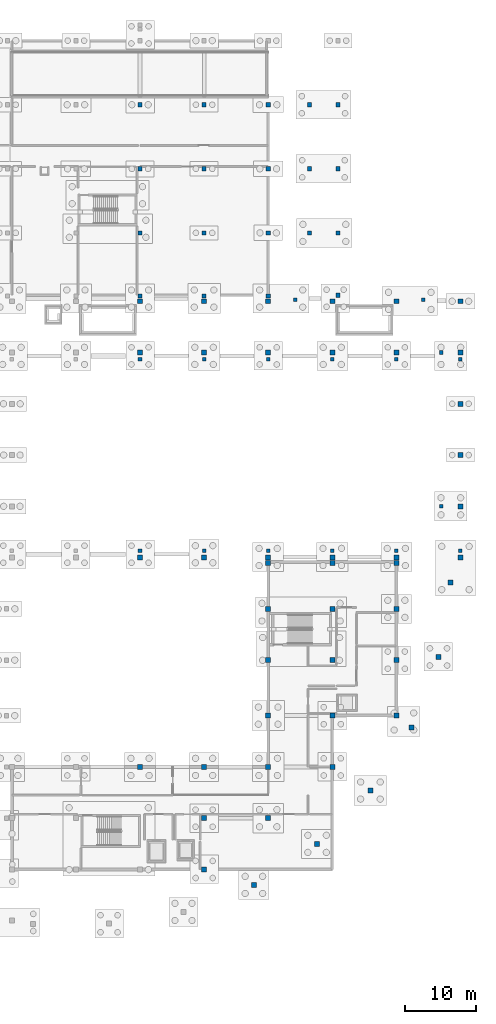
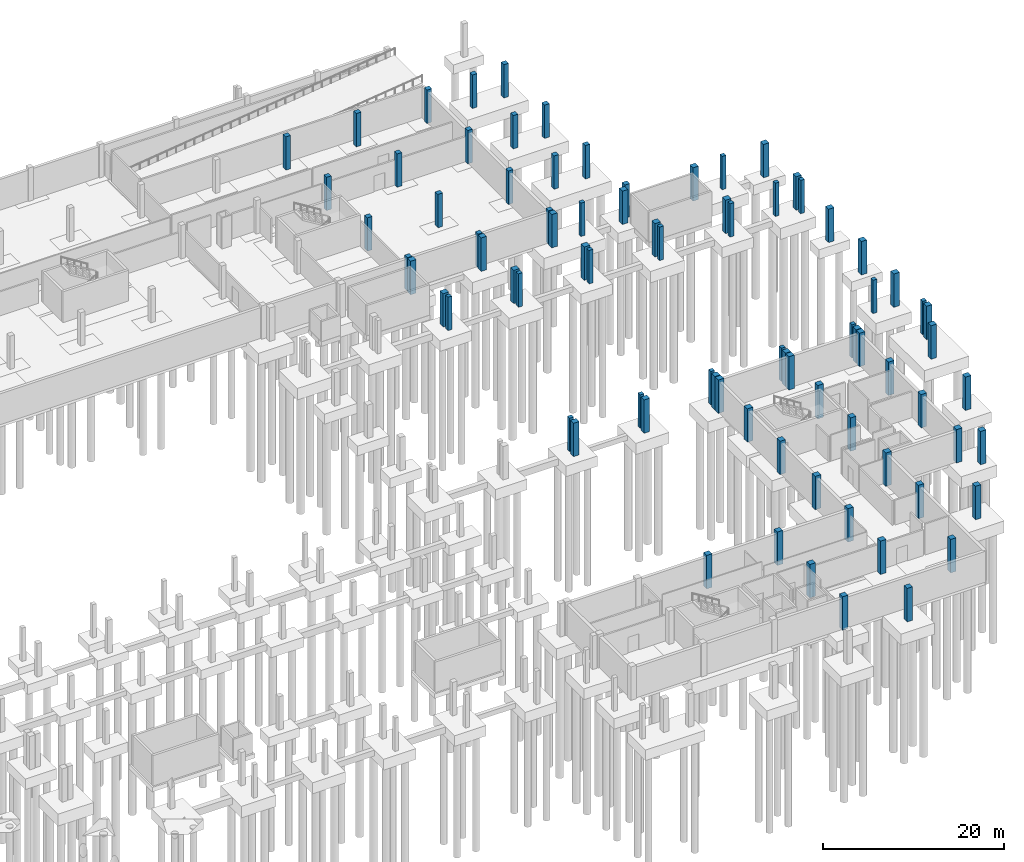
# One storey, part 15 of 36: 81 columns.
"""IFC4 building model written with IfcOpenShell, lengths in metres."""

import ifcopenshell
import ifcopenshell.guid

model = None  # the IFC model being written
_history = None  # IfcOwnerHistory: only IFC2X3 demands one
_inside = {}  # id of a spatial element -> (the spatial element, [elements in it])
_under = {}  # id of a project, library or spatial element -> (it, [spatial elements below it])
_declared = {}  # id of a project -> (the project, [libraries it declares])
_typed = {}  # id of a type object -> (the type object, [elements of that type])
_made_of = {}  # id of a material, layer set ... -> (it, [elements and type objects made of it])


def new_model(schema):
    """Start an empty IFC model of exactly this schema.

    Asked for "IFC4X3", IfcOpenShell would pick the latest addendum, in which some entities
    have other attributes; the version numbers below select the first issue.
    IFC2X3 requires an IfcOwnerHistory on every rooted entity: one is made here for all.
    """
    global model, _history
    if schema == "IFC4X3":
        model = ifcopenshell.file(schema_version=(4, 3, 0, 0))
    else:
        model = ifcopenshell.file(schema=schema)
    _inside.clear()
    _under.clear()
    _declared.clear()
    _typed.clear()
    _made_of.clear()
    _history = None
    if model.schema == "IFC2X3":
        org = make("IfcOrganization", Name="unknown")
        user = make(
            "IfcPersonAndOrganization",
            ThePerson=make("IfcPerson", FamilyName="unknown"),
            TheOrganization=org,
        )
        app = make(
            "IfcApplication",
            ApplicationDeveloper=org,
            Version="unknown",
            ApplicationFullName="unknown",
            ApplicationIdentifier="unknown",
        )
        _history = make(
            "IfcOwnerHistory",
            OwningUser=user,
            OwningApplication=app,
            ChangeAction="ADDED",
            CreationDate=0,
        )
    return model


def make(cls, **values):
    """One entity of the class cls with the attributes given. An attribute that is None is left unset."""
    return model.create_entity(
        cls, **{name: value for name, value in values.items() if value is not None}
    )


def rooted(cls, **values):
    """An entity with a GlobalId (a new one), such as an element, a storey or a relation."""
    return make(cls, GlobalId=ifcopenshell.guid.new(), OwnerHistory=_history, **values)


def si_unit(unit_type, name, prefix=None):
    """IfcSIUnit, for example si_unit("LENGTHUNIT", "METRE", prefix="MILLI")."""
    return make("IfcSIUnit", UnitType=unit_type, Prefix=prefix, Name=name)


def assignment(units):
    """IfcUnitAssignment: the units of a project."""
    return None if units is None else make("IfcUnitAssignment", Units=units)


def point(xyz):
    """IfcCartesianPoint."""
    return None if xyz is None else make("IfcCartesianPoint", Coordinates=xyz)


def direction(xyz):
    """IfcDirection."""
    return None if xyz is None else make("IfcDirection", DirectionRatios=xyz)


def frame(location, z_axis=None, x_axis=None):
    """IfcAxis2Placement3D, a coordinate frame: its origin and axes. An axis left out is left unset."""
    return make(
        "IfcAxis2Placement3D",
        Location=point(location),
        Axis=direction(z_axis),
        RefDirection=direction(x_axis),
    )


def frame_2d(location, x_axis=None):
    """IfcAxis2Placement2D, a coordinate frame in the plane: its origin and x axis."""
    return make(
        "IfcAxis2Placement2D", Location=point(location), RefDirection=direction(x_axis)
    )


def origin():
    """The frame at (0, 0, 0) with its axes left unset."""
    return frame((0.0, 0.0, 0.0))


def origin_2d():
    """The frame at (0, 0) in the plane with its x axis left unset."""
    return frame_2d((0.0, 0.0))


def place(relative_to, where):
    """IfcLocalPlacement: puts the frame where relative to a parent placement (None: the world)."""
    return make(
        "IfcLocalPlacement", PlacementRelTo=relative_to, RelativePlacement=where
    )


def context(
    kind, dimensions, precision=None, world=None, true_north=None, identifier=None
):
    """IfcGeometricRepresentationContext, for example the 3D "Model" context."""
    return make(
        "IfcGeometricRepresentationContext",
        ContextIdentifier=identifier,
        ContextType=kind,
        CoordinateSpaceDimension=dimensions,
        Precision=precision,
        WorldCoordinateSystem=world,
        TrueNorth=true_north,
    )


def subcontext(parent, identifier, kind, view, scale=None):
    """IfcGeometricRepresentationSubContext, for example "Body" below "Model"."""
    return make(
        "IfcGeometricRepresentationSubContext",
        ContextIdentifier=identifier,
        ContextType=kind,
        ParentContext=parent,
        TargetScale=scale,
        TargetView=view,
    )


def project(units=None, contexts=None):
    """IfcProject with its units and contexts."""
    return rooted(
        "IfcProject",
        Name="project",
        RepresentationContexts=contexts,
        UnitsInContext=assignment(units),
    )


def spatial(cls, under=None, at=None, **own):
    """A site, building, storey or space (cls), placed at a placement, below another one or the project."""
    s = rooted(cls, ObjectPlacement=at, **own)
    if under is not None:
        _under.setdefault(under.id(), (under, []))[1].append(s)
    return s


def profile(cls, at=None, kind="AREA", **sizes):
    """A parametric profile (cls). Its sizes go by their IFC names, for example OverallWidth=200.0."""
    return make(cls, ProfileType=kind, Position=at, **sizes)


def rectangle(**sizes):
    """IfcRectangleProfileDef."""
    return profile("IfcRectangleProfileDef", **sizes)


def extrude(swept, where, along, depth):
    """IfcExtrudedAreaSolid: the profile swept, set in the frame where, extruded along a direction by depth."""
    return make(
        "IfcExtrudedAreaSolid",
        SweptArea=swept,
        Position=where,
        ExtrudedDirection=direction(along),
        Depth=depth,
    )


def shape(context_of_items, identifier, shape_type, items):
    """IfcShapeRepresentation: the items that make up one representation, for example the "Body"."""
    return make(
        "IfcShapeRepresentation",
        ContextOfItems=context_of_items,
        RepresentationIdentifier=identifier,
        RepresentationType=shape_type,
        Items=items,
    )


def material(Name=None, Category=None):
    """IfcMaterial."""
    return make("IfcMaterial", Name=Name, Category=Category)


def material_profile(
    of_material, cross_section, Name=None, Category=None, Priority=None
):
    """IfcMaterialProfile: a cross section and its material."""
    return make(
        "IfcMaterialProfile",
        Name=Name,
        Material=of_material,
        Profile=cross_section,
        Priority=Priority,
        Category=Category,
    )


def profile_set(profiles, Name=None, composite=None):
    """IfcMaterialProfileSet."""
    return make(
        "IfcMaterialProfileSet",
        Name=Name,
        MaterialProfiles=profiles,
        CompositeProfile=composite,
    )


def made_of(thing, what):
    """Note that an element or type object is made of a material, layer set ...; save() writes the relation."""
    if what is not None:
        _made_of.setdefault(what.id(), (what, []))[1].append(thing)
    return thing


def type_object(cls, material=None, **own):
    """A type object (cls), such as IfcWallType, which elements share."""
    return made_of(rooted(cls, **own), material)


def element(
    cls,
    number,
    at=None,
    inside=None,
    cuts=None,
    type_object=None,
    material=None,
    context=None,
    identifier="Body",
    shape_type=None,
    held_by="IfcProductDefinitionShape",
    body=None,
    shapes=None,
    **own,
):
    """One element of the class cls, such as IfcWall. Its Tag is "e" and its number.

    at: its placement. inside: the storey or other place that contains it. cuts: it is an
    opening in that element (IfcRelVoidsElement). A single representation is given by context,
    identifier, shape_type and body (its items); several are given by shapes. held_by: the class
    of the entity that holds the representations. save() writes the other relations.
    """
    e = rooted(cls, Tag="e%d" % number, ObjectPlacement=at, **own)
    if body is not None:
        shapes = [shape(context, identifier, shape_type, body)]
    if shapes is not None:
        e.Representation = make(held_by, Representations=shapes)
    if inside is not None:
        _inside.setdefault(inside.id(), (inside, []))[1].append(e)
    if cuts is not None:
        rooted(
            "IfcRelVoidsElement", RelatingBuildingElement=cuts, RelatedOpeningElement=e
        )
    if type_object is not None:
        _typed.setdefault(type_object.id(), (type_object, []))[1].append(e)
    return made_of(e, material)


def aggregate(whole, parts):
    """IfcRelAggregates: a whole, such as a stair, and the parts it consists of."""
    return rooted("IfcRelAggregates", RelatingObject=whole, RelatedObjects=parts)


def save(model, path):
    """Write the relations noted so far, then the file.

    IfcRelAggregates (storeys below a building ...), IfcRelContainedInSpatialStructure (elements
    in a storey), IfcRelDefinesByType, IfcRelAssociatesMaterial and IfcRelDeclares: one each for
    every whole, place, type object, material and project.
    """
    for whole, parts in _under.values():
        aggregate(whole, parts)
    for where, things in _inside.values():
        rooted(
            "IfcRelContainedInSpatialStructure",
            RelatedElements=things,
            RelatingStructure=where,
        )
    for kind, things in _typed.values():
        rooted("IfcRelDefinesByType", RelatedObjects=things, RelatingType=kind)
    for what, things in _made_of.values():
        rooted("IfcRelAssociatesMaterial", RelatedObjects=things, RelatingMaterial=what)
    for by, libraries in _declared.values():
        rooted("IfcRelDeclares", RelatingContext=by, RelatedDefinitions=libraries)
    model.write(path)


model = new_model("IFC4")

# Units and contexts
model_context = context("Model", 3, precision=1e-05, world=origin(), true_north=direction((0.0, 1.0)))
body_context = subcontext(model_context, "Body", "Model", "MODEL_VIEW")
ifc_project = project(units=[si_unit("LENGTHUNIT", "METRE"), si_unit("AREAUNIT", "SQUARE_METRE"), si_unit("VOLUMEUNIT", "CUBIC_METRE"), si_unit("PLANEANGLEUNIT", "RADIAN"), si_unit("MASSUNIT", "GRAM", prefix="KILO")], contexts=[model_context])

# Site, building, storey
site_placement = place(None, origin())
site = spatial("IfcSite", under=ifc_project, at=site_placement, CompositionType="ELEMENT")
building_placement = place(site_placement, origin())
building = spatial("IfcBuilding", under=site, at=building_placement, Name="Chiffa Square Polytechnic", CompositionType="ELEMENT")
storey_placement = place(building_placement, frame((0.0, 0.0, -4.5)))
storey = spatial("IfcBuildingStorey", under=building, at=storey_placement, Name="B1", CompositionType="ELEMENT", Elevation=-4.5)

# Columns
ifc_material_1 = material(Name="Concrete C35/45", Category="concrete")
ifc_material_profile_1 = material_profile(ifc_material_1, rectangle(XDim=0.5, YDim=0.5, at=origin_2d()), Name="RC 500x500")
ifc_profile_set_1 = profile_set([ifc_material_profile_1], Name="Concrete C35/45")
column_type_1 = type_object("IfcColumnType", Name="COL-PIER-500", PredefinedType="PILASTER", material=ifc_profile_set_1)
for number, where, z_axis, x_axis, name in (
    (1, (172.5, 65.39990234375, 0.0), (0.0, 0.0, 1.0), (1.0, 0.0, 0.0), "Apron support pier CP-APR-B1-05"),
    (2, (172.5, 87.0, 0.0), (0.0, 0.0, 1.0), (1.0, 0.0, 0.0), "Apron support pier CP-APR-B1-06"),
    (3, (152.0, 94.39990234375, 0.0), (0.0, 0.0, 1.0), (1.0, 0.0, 0.0), "Apron support pier CP-APR-B1-07"),
    (4, (170.0, 94.39990234375, 0.0), (0.0, 0.0, 1.0), (1.0, 0.0, 0.0), "Apron support pier CP-APR-B1-08"),
    (5, (130.199951171875, 59.14990234375, 0.0), (0.0, 0.0, 1.0), (1.0, 0.0, 0.0), "Crane stanchion foundation pier C-V2-CRN-B1-130-S"),
    (6, (130.199951171875, 86.050048828125, 0.0), (0.0, 0.0, 1.0), (1.0, 0.0, 0.0), "Crane stanchion foundation pier C-V2-CRN-B1-130-N"),
    (7, (139.199951171875, 59.14990234375, 0.0), (0.0, 0.0, 1.0), (1.0, 0.0, 0.0), "Crane stanchion foundation pier C-V2-CRN-B1-139-S"),
    (8, (139.199951171875, 86.050048828125, 0.0), (0.0, 0.0, 1.0), (1.0, 0.0, 0.0), "Crane stanchion foundation pier C-V2-CRN-B1-139-N"),
    (9, (148.199951171875, 59.14990234375, 0.0), (0.0, 0.0, 1.0), (1.0, 0.0, 0.0), "Crane stanchion foundation pier C-V2-CRN-B1-148-S"),
    (10, (148.199951171875, 86.050048828125, 0.0), (0.0, 0.0, 1.0), (1.0, 0.0, 0.0), "Crane stanchion foundation pier C-V2-CRN-B1-148-N"),
    (11, (157.199951171875, 59.14990234375, 0.0), (0.0, 0.0, 1.0), (1.0, 0.0, 0.0), "Crane stanchion foundation pier C-V2-CRN-B1-157-S"),
    (12, (157.199951171875, 86.050048828125, 0.0), (0.0, 0.0, 1.0), (1.0, 0.0, 0.0), "Crane stanchion foundation pier C-V2-CRN-B1-157-N"),
    (13, (166.199951171875, 59.14990234375, 0.0), (0.0, 0.0, 1.0), (1.0, 0.0, 0.0), "Crane stanchion foundation pier C-V2-CRN-B1-166-S"),
    (14, (166.199951171875, 86.050048828125, 0.0), (0.0, 0.0, 1.0), (1.0, 0.0, 0.0), "Crane stanchion foundation pier C-V2-CRN-B1-166-N"),
    (15, (175.199951171875, 59.14990234375, 0.0), (0.0, 0.0, 1.0), (1.0, 0.0, 0.0), "Crane stanchion foundation pier C-V2-CRN-B1-175-S"),
    (16, (175.199951171875, 86.050048828125, 0.0), (0.0, 0.0, 1.0), (1.0, 0.0, 0.0), "Crane stanchion foundation pier C-V2-CRN-B1-175-N"),
):
    element("IfcColumn", number, at=place(storey_placement, frame(where, z_axis=z_axis, x_axis=x_axis)), inside=storey, type_object=column_type_1, Name=name, PredefinedType="PILASTER", context=body_context, shape_type="SweptSolid", body=[
        extrude(rectangle(XDim=0.5, YDim=0.5, at=origin_2d()), origin(), (0.0, 0.0, 1.0), 4.5),
    ])
ifc_material_profile_2 = material_profile(ifc_material_1, rectangle(XDim=0.60009765625, YDim=0.60009765625, at=origin_2d()), Name="RC 600x600")
ifc_profile_set_2 = profile_set([ifc_material_profile_2], Name="Concrete C35/45")
column_type_2 = type_object("IfcColumnType", Name="COL-PIER-600", PredefinedType="PILASTER", material=ifc_profile_set_2)
for number, where, z_axis, x_axis, name in (
    (17, (154.0, 103.800048828125, 0.0), (0.0, 0.0, 1.0), (1.0, 0.0, 0.0), "NE canopy foundation pier CP-NEC-01"),
    (18, (154.0, 112.800048828125, 0.0), (0.0, 0.0, 1.0), (1.0, 0.0, 0.0), "NE canopy foundation pier CP-NEC-02"),
    (19, (154.0, 121.800048828125, 0.0), (0.0, 0.0, 1.0), (1.0, 0.0, 0.0), "NE canopy foundation pier CP-NEC-03"),
    (20, (158.0, 95.050048828125, 0.0), (0.0, 0.0, 1.0), (1.0, 0.0, 0.0), "Ramp apron perimeter pier CP-RMPAPR-B1-01"),
    (21, (158.0, 103.800048828125, 0.0), (0.0, 0.0, 1.0), (1.0, 0.0, 0.0), "Ramp apron perimeter pier CP-RMPAPR-B1-02"),
    (22, (158.0, 112.800048828125, 0.0), (0.0, 0.0, 1.0), (1.0, 0.0, 0.0), "Ramp apron perimeter pier CP-RMPAPR-B1-03"),
    (23, (158.0, 121.800048828125, 0.0), (0.0, 0.0, 1.0), (1.0, 0.0, 0.0), "Ramp apron perimeter pier CP-RMPAPR-B1-04"),
):
    element("IfcColumn", number, at=place(storey_placement, frame(where, z_axis=z_axis, x_axis=x_axis)), inside=storey, type_object=column_type_2, Name=name, PredefinedType="PILASTER", context=body_context, shape_type="SweptSolid", body=[
        extrude(rectangle(XDim=0.60009765625, YDim=0.60009765625, at=origin_2d()), origin(), (0.0, 0.0, 1.0), 4.5),
    ])
ifc_material_profile_3 = material_profile(ifc_material_1, rectangle(XDim=0.699951171875, YDim=0.699951171875, at=origin_2d()), Name="RC 700x700")
ifc_profile_set_3 = profile_set([ifc_material_profile_3], Name="Concrete C35/45")
column_type_3 = type_object("IfcColumnType", Name="COL-PIER-700", PredefinedType="PILASTER", material=ifc_profile_set_3)
for number, where, z_axis, x_axis, name in (
    (24, (130.199951171875, 58.199951171875, 0.0), (0.0, 0.0, 1.0), (1.0, 0.0, 0.0), "Substructure column C-V2-B1-1302-0582"),
    (25, (130.199951171875, 87.0, 0.0), (0.0, 0.0, 1.0), (1.0, 0.0, 0.0), "Substructure column C-V2-B1-1302-0870"),
    (26, (130.199951171875, 94.199951171875, 0.0), (0.0, 0.0, 1.0), (1.0, 0.0, 0.0), "Substructure column C-V2-B1-1302-0942"),
    (27, (139.199951171875, 58.199951171875, 0.0), (0.0, 0.0, 1.0), (1.0, 0.0, 0.0), "Substructure column C-V2-B1-1392-0582"),
    (28, (139.199951171875, 87.0, 0.0), (0.0, 0.0, 1.0), (1.0, 0.0, 0.0), "Substructure column C-V2-B1-1392-0870"),
    (29, (139.199951171875, 94.199951171875, 0.0), (0.0, 0.0, 1.0), (1.0, 0.0, 0.0), "Substructure column C-V2-B1-1392-0942"),
    (30, (148.199951171875, 58.199951171875, 0.0), (0.0, 0.0, 1.0), (1.0, 0.0, 0.0), "Substructure column C-V2-B1-1482-0582"),
    (31, (148.199951171875, 87.0, 0.0), (0.0, 0.0, 1.0), (1.0, 0.0, 0.0), "Substructure column C-V2-B1-1482-0870"),
    (32, (148.199951171875, 94.199951171875, 0.0), (0.0, 0.0, 1.0), (1.0, 0.0, 0.0), "Substructure column C-V2-B1-1482-0942"),
    (33, (157.199951171875, 58.199951171875, 0.0), (0.0, 0.0, 1.0), (1.0, 0.0, 0.0), "Substructure column C-V2-B1-1572-0582"),
    (34, (157.199951171875, 87.0, 0.0), (0.0, 0.0, 1.0), (1.0, 0.0, 0.0), "Substructure column C-V2-B1-1572-0870"),
    (35, (157.199951171875, 94.199951171875, 0.0), (0.0, 0.0, 1.0), (1.0, 0.0, 0.0), "Substructure column C-V2-B1-1572-0942"),
    (36, (166.199951171875, 58.199951171875, 0.0), (0.0, 0.0, 1.0), (1.0, 0.0, 0.0), "Substructure column C-V2-B1-1662-0582"),
    (37, (166.199951171875, 87.0, 0.0), (0.0, 0.0, 1.0), (1.0, 0.0, 0.0), "Substructure column C-V2-B1-1662-0870"),
    (38, (166.199951171875, 94.199951171875, 0.0), (0.0, 0.0, 1.0), (1.0, 0.0, 0.0), "Substructure column C-V2-B1-1662-0942"),
    (39, (175.199951171875, 58.199951171875, 0.0), (0.0, 0.0, 1.0), (1.0, 0.0, 0.0), "Substructure column C-V2-B1-1752-0582"),
    (40, (175.199951171875, 65.39990234375, 0.0), (0.0, 0.0, 1.0), (1.0, 0.0, 0.0), "Substructure column C-V2-B1-1752-0654"),
    (41, (175.199951171875, 72.60009765625, 0.0), (0.0, 0.0, 1.0), (1.0, 0.0, 0.0), "Substructure column C-V2-B1-1752-0726"),
    (42, (175.199951171875, 79.800048828125, 0.0), (0.0, 0.0, 1.0), (1.0, 0.0, 0.0), "Substructure column C-V2-B1-1752-0798"),
    (43, (175.199951171875, 87.0, 0.0), (0.0, 0.0, 1.0), (1.0, 0.0, 0.0), "Substructure column C-V2-B1-1752-0870"),
    (44, (175.199951171875, 94.199951171875, 0.0), (0.0, 0.0, 1.0), (1.0, 0.0, 0.0), "Substructure column C-V2-B1-1752-0942"),
    (45, (146.19091796875, 12.22802734375, 0.0), (0.0, 0.0, 1.0), (1.0, 0.0, 0.0), "Prow V-column foundation pier CP-V1-VB-04"),
    (46, (155.070068359375, 17.993896484375, 0.0), (0.0, 0.0, 1.0), (1.0, 0.0, 0.0), "Prow V-column foundation pier CP-V1-VB-05"),
    (47, (162.555908203125, 25.47998046875, 0.0), (0.0, 0.0, 1.0), (1.0, 0.0, 0.0), "Prow V-column foundation pier CP-V1-VB-06"),
    (48, (168.322021484375, 34.35888671875, 0.0), (0.0, 0.0, 1.0), (1.0, 0.0, 0.0), "Prow V-column foundation pier CP-V1-VB-07"),
    (49, (172.115966796875, 44.242919921875, 0.0), (0.0, 0.0, 1.0), (1.0, 0.0, 0.0), "Prow V-column foundation pier CP-V1-VB-08"),
    (50, (173.77197265625, 54.699951171875, 0.0), (0.0, 0.0, 1.0), (1.0, 0.0, 0.0), "Prow V-column foundation pier CP-V1-VB-09"),
):
    element("IfcColumn", number, at=place(storey_placement, frame(where, z_axis=z_axis, x_axis=x_axis)), inside=storey, type_object=column_type_3, Name=name, PredefinedType="PILASTER", context=body_context, shape_type="SweptSolid", body=[
        extrude(rectangle(XDim=0.699951171875, YDim=0.699951171875, at=origin_2d()), origin(), (0.0, 0.0, 1.0), 4.5),
    ])
ifc_material_2 = material(Name="Concrete C40/50", Category="concrete")
ifc_material_profile_4 = material_profile(ifc_material_2, rectangle(XDim=0.60009765625, YDim=0.60009765625, at=origin_2d()), Name="RC 600x600")
ifc_profile_set_4 = profile_set([ifc_material_profile_4], Name="Concrete C40/50")
column_type_4 = type_object("IfcColumnType", Name="COL-RC-600", PredefinedType="COLUMN", material=ifc_profile_set_4)
for number, where, z_axis, x_axis, name in (
    (51, (130.199951171875, 94.949951171875, 0.0), (0.0, 0.0, 1.0), (1.0, 0.0, 0.0), "Substructure column C-V5-B1-1302-0950"),
    (52, (130.199951171875, 103.800048828125, 0.0), (0.0, 0.0, 1.0), (1.0, 0.0, 0.0), "Substructure column C-V5-B1-1302-1038"),
    (53, (130.199951171875, 112.800048828125, 0.0), (0.0, 0.0, 1.0), (1.0, 0.0, 0.0), "Substructure column C-V5-B1-1302-1128"),
    (54, (130.199951171875, 121.800048828125, 0.0), (0.0, 0.0, 1.0), (1.0, 0.0, 0.0), "Substructure column C-V5-B1-1302-1218"),
    (55, (139.199951171875, 94.949951171875, 0.0), (0.0, 0.0, 1.0), (1.0, 0.0, 0.0), "Substructure column C-V5-B1-1392-0950"),
    (56, (139.199951171875, 103.800048828125, 0.0), (0.0, 0.0, 1.0), (1.0, 0.0, 0.0), "Substructure column C-V5-B1-1392-1038"),
    (57, (139.199951171875, 112.800048828125, 0.0), (0.0, 0.0, 1.0), (1.0, 0.0, 0.0), "Substructure column C-V5-B1-1392-1128"),
    (58, (139.199951171875, 121.800048828125, 0.0), (0.0, 0.0, 1.0), (1.0, 0.0, 0.0), "Substructure column C-V5-B1-1392-1218"),
    (59, (148.199951171875, 94.949951171875, 0.0), (0.0, 0.0, 1.0), (1.0, 0.0, 0.0), "Substructure column C-V5-B1-1482-0950"),
    (60, (148.199951171875, 103.800048828125, 0.0), (0.0, 0.0, 1.0), (1.0, 0.0, 0.0), "Substructure column C-V5-B1-1482-1038"),
    (61, (148.199951171875, 112.800048828125, 0.0), (0.0, 0.0, 1.0), (1.0, 0.0, 0.0), "Substructure column C-V5-B1-1482-1128"),
    (62, (148.199951171875, 121.800048828125, 0.0), (0.0, 0.0, 1.0), (1.0, 0.0, 0.0), "Substructure column C-V5-B1-1482-1218"),
):
    element("IfcColumn", number, at=place(storey_placement, frame(where, z_axis=z_axis, x_axis=x_axis)), inside=storey, type_object=column_type_4, Name=name, PredefinedType="COLUMN", context=body_context, shape_type="SweptSolid", body=[
        extrude(rectangle(XDim=0.60009765625, YDim=0.60009765625, at=origin_2d()), origin(), (0.0, 0.0, 1.0), 4.5),
    ])
ifc_material_profile_5 = material_profile(ifc_material_2, rectangle(XDim=0.699951171875, YDim=0.699951171875, at=origin_2d()), Name="RC 700x700")
ifc_profile_set_5 = profile_set([ifc_material_profile_5], Name="Concrete C40/50")
column_type_5 = type_object("IfcColumnType", Name="COL-RC-700", PredefinedType="COLUMN", material=ifc_profile_set_5)
for number, where, z_axis, x_axis, name in (
    (63, (130.199951171875, 28.800048828125, 0.0), (0.0, 0.0, 1.0), (1.0, 0.0, 0.0), "Substructure column C-V1-B1-1302-0288"),
    (64, (139.199951171875, 14.39990234375, 0.0), (0.0, 0.0, 1.0), (1.0, 0.0, 0.0), "Substructure column C-V1-B1-1392-0144"),
    (65, (139.199951171875, 21.60009765625, 0.0), (0.0, 0.0, 1.0), (1.0, 0.0, 0.0), "Substructure column C-V1-B1-1392-0216"),
    (66, (139.199951171875, 28.800048828125, 0.0), (0.0, 0.0, 1.0), (1.0, 0.0, 0.0), "Substructure column C-V1-B1-1392-0288"),
    (67, (148.199951171875, 21.60009765625, 0.0), (0.0, 0.0, 1.0), (1.0, 0.0, 0.0), "Substructure column C-V1-B1-1482-0216"),
    (68, (148.199951171875, 28.800048828125, 0.0), (0.0, 0.0, 1.0), (1.0, 0.0, 0.0), "Substructure column C-V1-B1-1482-0288"),
    (69, (148.199951171875, 36.0, 0.0), (0.0, 0.0, 1.0), (1.0, 0.0, 0.0), "Substructure column C-V1-B1-1482-0360"),
    (70, (148.199951171875, 43.800048828125, 0.0), (0.0, 0.0, 1.0), (1.0, 0.0, 0.0), "Substructure column C-V1-B1-1482-0438"),
    (71, (148.199951171875, 51.0, 0.0), (0.0, 0.0, 1.0), (1.0, 0.0, 0.0), "Substructure column C-V1-B1-1482-0510"),
    (72, (148.199951171875, 57.419921875, 0.0), (0.0, 0.0, 1.0), (1.0, 0.0, 0.0), "Substructure column C-V1-B1-1482-0574"),
    (73, (157.199951171875, 28.800048828125, 0.0), (0.0, 0.0, 1.0), (1.0, 0.0, 0.0), "Substructure column C-V1-B1-1572-0288"),
    (74, (157.199951171875, 36.0, 0.0), (0.0, 0.0, 1.0), (1.0, 0.0, 0.0), "Substructure column C-V1-B1-1572-0360"),
    (75, (157.199951171875, 43.800048828125, 0.0), (0.0, 0.0, 1.0), (1.0, 0.0, 0.0), "Substructure column C-V1-B1-1572-0438"),
    (76, (157.199951171875, 51.0, 0.0), (0.0, 0.0, 1.0), (1.0, 0.0, 0.0), "Substructure column C-V1-B1-1572-0510"),
    (77, (157.199951171875, 57.419921875, 0.0), (0.0, 0.0, 1.0), (1.0, 0.0, 0.0), "Substructure column C-V1-B1-1572-0574"),
    (78, (166.199951171875, 36.0, 0.0), (0.0, 0.0, 1.0), (1.0, 0.0, 0.0), "Substructure column C-V1-B1-1662-0360"),
    (79, (166.199951171875, 43.800048828125, 0.0), (0.0, 0.0, 1.0), (1.0, 0.0, 0.0), "Substructure column C-V1-B1-1662-0438"),
    (80, (166.199951171875, 51.0, 0.0), (0.0, 0.0, 1.0), (1.0, 0.0, 0.0), "Substructure column C-V1-B1-1662-0510"),
    (81, (166.199951171875, 57.419921875, 0.0), (0.0, 0.0, 1.0), (1.0, 0.0, 0.0), "Substructure column C-V1-B1-1662-0574"),
):
    element("IfcColumn", number, at=place(storey_placement, frame(where, z_axis=z_axis, x_axis=x_axis)), inside=storey, type_object=column_type_5, Name=name, PredefinedType="COLUMN", context=body_context, shape_type="SweptSolid", body=[
        extrude(rectangle(XDim=0.699951171875, YDim=0.699951171875, at=origin_2d()), origin(), (0.0, 0.0, 1.0), 4.5),
    ])

save(model, "model.ifc")
